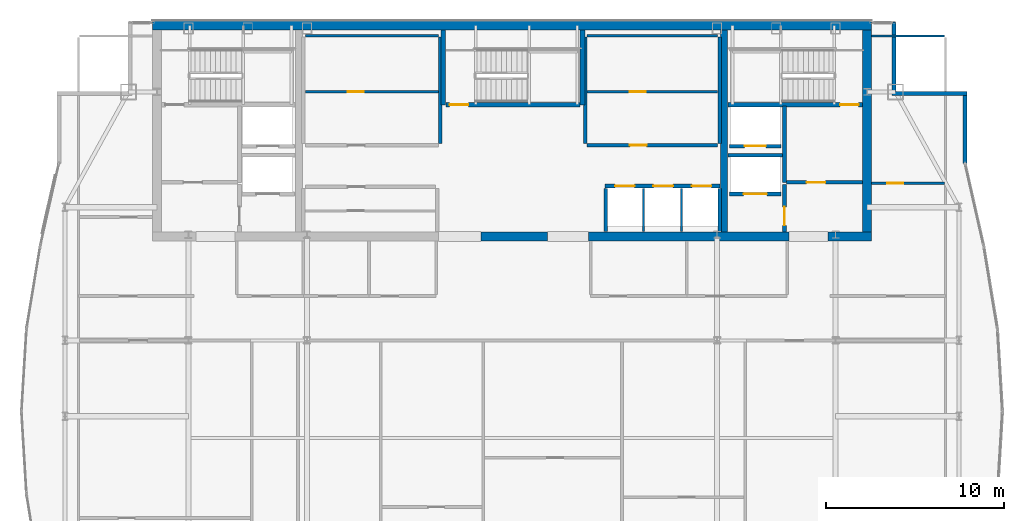
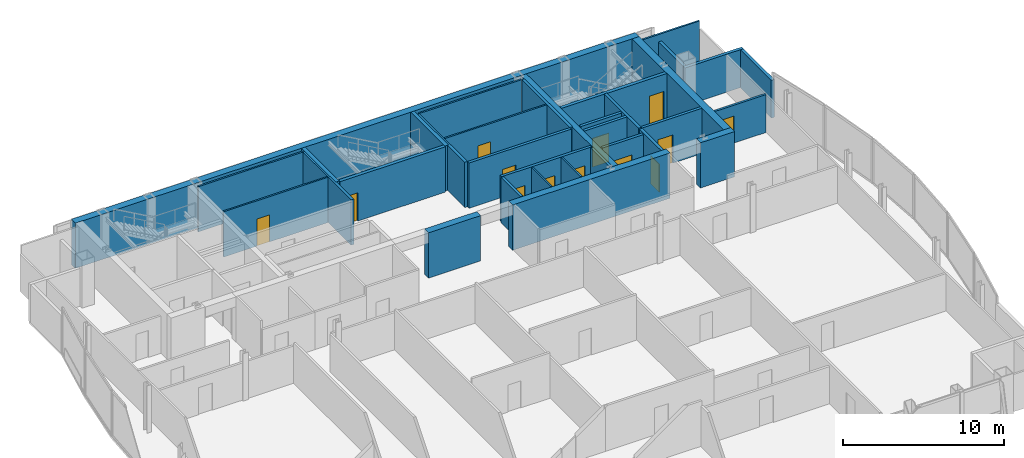
# One storey, part 26 of 29: 34 walls, 13 doors, 13 openings.
"""IFC4 building model written with IfcOpenShell, lengths in metres."""

from ifc_helpers import new_model, si_unit, direction, frame, frame_2d, origin, place, context, subcontext, project, spatial, rectangle, extrude, material, layer, layer_set, type_object, element, fill, save


model = new_model("IFC4")

# Units and contexts
model_context = context("Model", 3, precision=1e-05, world=origin(), true_north=direction((0.0, 1.0)))
body_context = subcontext(model_context, "Body", "Model", "MODEL_VIEW")
ifc_project = project(units=[si_unit("LENGTHUNIT", "METRE"), si_unit("AREAUNIT", "SQUARE_METRE"), si_unit("VOLUMEUNIT", "CUBIC_METRE"), si_unit("PLANEANGLEUNIT", "RADIAN"), si_unit("MASSUNIT", "GRAM", prefix="KILO")], contexts=[model_context])

# Site, building, storey
site_placement = place(None, origin())
site = spatial("IfcSite", under=ifc_project, at=site_placement, CompositionType="ELEMENT")
building_placement = place(site_placement, origin())
building = spatial("IfcBuilding", under=site, at=building_placement, Name="Khoronbel Lancet Exchange", CompositionType="ELEMENT")
storey_placement = place(building_placement, frame((0.0, 0.0, 318.199951171875)))
storey = spatial("IfcBuildingStorey", under=building, at=storey_placement, Name="L82", CompositionType="ELEMENT", Elevation=318.199951171875)

# Walls
ifc_material_1 = material(Name="Concrete C60/75", Category="concrete")
ifc_layer_1 = layer(ifc_material_1, 0.5, Name="Concrete C60/75")
ifc_layer_set_1 = layer_set([ifc_layer_1], Name="Concrete C60/75")
wall_type_1 = type_object("IfcWallType", Name="WL-CW4", PredefinedType="SHEAR", material=ifc_layer_set_1)
wall_1_placement = place(storey_placement, frame((16.199951171875, 53.449951171875, 0.0), z_axis=(0.0, 0.0, 1.0), x_axis=(1.0, 0.0, 0.0)))
element("IfcWall", 1, at=wall_1_placement, inside=storey, type_object=wall_type_1, Name="Level L82 rear core north shear wall", PredefinedType="SHEAR", context=body_context, shape_type="SweptSolid", body=[
    extrude(rectangle(XDim=40.5, YDim=0.5, at=frame_2d((20.25, 0.0))), origin(), (0.0, 0.0, 1.0), 3.43994140625),
])
wall_2_placement = place(storey_placement, frame((56.449951171875, 53.199951171875, 0.0), z_axis=(0.0, 0.0, 1.0), x_axis=(0.0, -1.0, 0.0)))
element("IfcWall", 2, at=wall_2_placement, inside=storey, type_object=wall_type_1, Name="Level L82 rear core east shear wall", PredefinedType="SHEAR", context=body_context, shape_type="SweptSolid", body=[
    extrude(rectangle(XDim=11.39990234375, YDim=0.5, at=frame_2d((5.699951171875, 0.0))), origin(), (0.0, 0.0, 1.0), 3.43994140625),
])
wall_3_placement = place(storey_placement, frame((38.449951171875, 41.550048828125, 0.0), z_axis=(0.0, 0.0, 1.0), x_axis=(-1.0, 0.0, 0.0)))
element("IfcWall", 3, at=wall_3_placement, inside=storey, type_object=wall_type_1, Name="Level L82 rear core south shear wall pier P3", PredefinedType="SHEAR", context=body_context, shape_type="SweptSolid", body=[
    extrude(rectangle(XDim=3.75, YDim=0.5, at=frame_2d((1.875, 0.0))), origin(), (0.0, 0.0, 1.0), 3.43994140625),
])
wall_4_placement = place(storey_placement, frame((52.050048828125, 41.550048828125, 0.0), z_axis=(0.0, 0.0, 1.0), x_axis=(-1.0, 0.0, 0.0)))
element("IfcWall", 4, at=wall_4_placement, inside=storey, type_object=wall_type_1, Name="Level L82 rear core south shear wall pier P4", PredefinedType="SHEAR", context=body_context, shape_type="SweptSolid", body=[
    extrude(rectangle(XDim=11.300048828125, YDim=0.5, at=frame_2d((5.64990234375, 0.0))), origin(), (0.0, 0.0, 1.0), 3.43994140625),
])
wall_5_placement = place(storey_placement, frame((56.699951171875, 41.550048828125, 0.0), z_axis=(0.0, 0.0, 1.0), x_axis=(-1.0, 0.0, 0.0)))
element("IfcWall", 5, at=wall_5_placement, inside=storey, type_object=wall_type_1, Name="Level L82 rear core south shear wall pier P5", PredefinedType="SHEAR", context=body_context, shape_type="SweptSolid", body=[
    extrude(rectangle(XDim=2.449951171875, YDim=0.5, at=frame_2d((1.22509765625, 0.0))), origin(), (0.0, 0.0, 1.0), 3.43994140625),
])
ifc_material_2 = material(Name="Precast concrete C40/50", Category="concrete")
ifc_layer_2 = layer(ifc_material_2, 0.25, Name="Precast concrete C40/50")
ifc_layer_set_2 = layer_set([ifc_layer_2], Name="Precast concrete C40/50")
wall_type_2 = type_object("IfcWallType", Name="WL-EXT250", PredefinedType="SOLIDWALL", material=ifc_layer_set_2)
wall_6_placement = place(storey_placement, frame((57.9599609375, 53.6298828125, 0.0), z_axis=(0.0, 0.0, 1.0), x_axis=(0.0, -1.0, 0.0)))
element("IfcWall", 6, at=wall_6_placement, inside=storey, type_object=wall_type_2, Name="Level L82 notched-corner limestone pier 14", PredefinedType="SOLIDWALL", context=body_context, shape_type="SweptSolid", body=[
    extrude(rectangle(XDim=3.909912109375, YDim=0.219970703125, at=frame_2d((1.955078125, 0.0))), origin(), (0.0, 0.0, 1.0), 2.880126953125),
])
wall_7_placement = place(storey_placement, frame((57.85009765625, 49.610107421875, 0.0), z_axis=(0.0, 0.0, 1.0), x_axis=(1.0, 0.0, 0.0)))
element("IfcWall", 7, at=wall_7_placement, inside=storey, type_object=wall_type_2, Name="Level L82 notched-corner limestone pier 15", PredefinedType="SOLIDWALL", context=body_context, shape_type="SweptSolid", body=[
    extrude(rectangle(XDim=4.219970703125, YDim=0.219970703125, at=frame_2d((2.10986328125, 0.0))), origin(), (0.0, 0.0, 1.0), 2.880126953125),
])
wall_8_placement = place(storey_placement, frame((61.9599609375, 49.5, 0.0), z_axis=(0.0, 0.0, 1.0), x_axis=(0.0, -1.0, 0.0)))
element("IfcWall", 8, at=wall_8_placement, inside=storey, type_object=wall_type_2, Name="Level L82 notched-corner limestone pier 16", PredefinedType="SOLIDWALL", context=body_context, shape_type="SweptSolid", body=[
    extrude(rectangle(XDim=3.830078125, YDim=0.219970703125, at=frame_2d((1.9150390625, 0.0))), origin(), (0.0, 0.0, 1.0), 2.880126953125),
])

# Wall, opening, door
ifc_material_3 = material(Name="Acoustic Metal-Stud & Mineral-Wool Gypsum Partition 120 mm", Category="gypsum")
ifc_layer_3 = layer(ifc_material_3, 0.1201171875, Name="Acoustic Metal-Stud & Mineral-Wool Gypsum Partition 120 mm")
ifc_layer_set_3 = layer_set([ifc_layer_3], Name="Acoustic Metal-Stud & Mineral-Wool Gypsum Partition 120 mm")
wall_type_3 = type_object("IfcWallType", Name="WL-PRT120", PredefinedType="PARTITIONING", material=ifc_layer_set_3)
wall_9_placement = place(storey_placement, frame((56.699951171875, 44.56005859375, 0.0), z_axis=(0.0, 0.0, 1.0), x_axis=(1.0, 0.0, 0.0)))
wall_9 = element("IfcWall", 9, at=wall_9_placement, inside=storey, type_object=wall_type_3, Name="Level L82 interior partition PW-NE-H", PredefinedType="PARTITIONING", context=body_context, shape_type="SweptSolid", body=[
    extrude(rectangle(XDim=4.10498046875, YDim=0.14990234375, at=frame_2d((2.052490234375, 0.0))), origin(), (0.0, 0.0, 1.0), 2.880126953125),
])
opening_1_placement = place(wall_9_placement, frame((0.89990234375, 0.0, 0.0)))
opening_1 = element("IfcOpeningElement", 10, at=opening_1_placement, cuts=wall_9, Name="Opening D5", PredefinedType="OPENING", context=body_context, shape_type="SweptSolid", body=[
    extrude(rectangle(XDim=0.89990234375, YDim=2.050048828125, at=frame_2d((0.449951171875, 1.02490234375))), frame((0.0, 0.0849609375, 0.0), z_axis=(0.0, -1.0, 0.0), x_axis=(1.0, 0.0, 0.0)), (0.0, 0.0, 1.0), 0.169921875),
])
ifc_material_4 = material(Name="Acoustic Timber Pantry & Support Door", Category="wood")
door_type_1 = type_object("IfcDoorType", Name="DR-D5", OperationType="NOTDEFINED", PredefinedType="DOOR", material=ifc_material_4)
door_1_placement = place(opening_1_placement, origin())
door_1 = element("IfcDoor", 11, at=door_1_placement, inside=storey, type_object=door_type_1, Name="NE north room door L82-1", OperationType="SINGLE_SWING_RIGHT", OverallHeight=2.050048828125, OverallWidth=0.89990234375, PredefinedType="DOOR", context=body_context, shape_type="SweptSolid", body=[
    extrude(rectangle(XDim=0.89990234375, YDim=2.050048828125, at=frame_2d((0.449951171875, 1.02490234375))), frame((0.0, 0.02490234375, 0.0), z_axis=(0.0, -1.0, 0.0), x_axis=(1.0, 0.0, 0.0)), (0.0, 0.0, 1.0), 0.050048828125),
])
fill(opening_1, door_1)

# Walls
wall_10_placement = place(storey_placement, frame((56.699951171875, 52.840087890625, 0.0), z_axis=(0.0, 0.0, 1.0), x_axis=(1.0, 0.0, 0.0)))
element("IfcWall", 12, at=wall_10_placement, inside=storey, type_object=wall_type_3, Name="Level L82 interior partition PW-LIN-NE", PredefinedType="PARTITIONING", context=body_context, shape_type="SweptSolid", body=[
    extrude(rectangle(XDim=4.10498046875, YDim=0.1201171875, at=frame_2d((2.052490234375, 0.0))), origin(), (0.0, 0.0, 1.0), 3.43994140625),
])
ifc_material_5 = material(Name="Fire-Rated Metal-Stud & Mineral-Wool Gypsum Partition 120 mm", Category="gypsum")
ifc_layer_4 = layer(ifc_material_5, 0.1201171875, Name="Fire-Rated Metal-Stud & Mineral-Wool Gypsum Partition 120 mm")
ifc_layer_set_4 = layer_set([ifc_layer_4], Name="Fire-Rated Metal-Stud & Mineral-Wool Gypsum Partition 120 mm")
wall_type_4 = type_object("IfcWallType", Name="WL-PRT120F", PredefinedType="PARTITIONING", material=ifc_layer_set_4)
wall_11_placement = place(storey_placement, frame((24.804931640625, 52.860107421875, 0.0), z_axis=(0.0, 0.0, 1.0), x_axis=(1.0, 0.0, 0.0)))
element("IfcWall", 13, at=wall_11_placement, inside=storey, type_object=wall_type_4, Name="Level L82 interior partition CW-PL-RN", PredefinedType="PARTITIONING", context=body_context, shape_type="SweptSolid", body=[
    extrude(rectangle(XDim=7.510009765625, YDim=0.1201171875, at=frame_2d((3.7548828125, 0.0))), origin(), (0.0, 0.0, 1.0), 3.43994140625),
])

# Wall, opening, door
wall_12_placement = place(storey_placement, frame((24.804931640625, 49.708740234375, 0.0), z_axis=(0.0, 0.0, 1.0), x_axis=(1.0, 0.0, 0.0)))
wall_12 = element("IfcWall", 14, at=wall_12_placement, inside=storey, type_object=wall_type_4, Name="Level L82 interior partition CW-PL-RH", PredefinedType="PARTITIONING", context=body_context, shape_type="SweptSolid", body=[
    extrude(rectangle(XDim=7.510009765625, YDim=0.1201171875, at=frame_2d((3.7548828125, 0.0))), origin(), (0.0, 0.0, 1.0), 3.43994140625),
])
opening_2_placement = place(wall_12_placement, frame((2.39990234375, 0.0, 0.0)))
opening_2 = element("IfcOpeningElement", 15, at=opening_2_placement, cuts=wall_12, Name="Opening FD4", PredefinedType="OPENING", context=body_context, shape_type="SweptSolid", body=[
    extrude(rectangle(XDim=0.89990234375, YDim=2.050048828125, at=frame_2d((0.449951171875, 1.02490234375))), frame((0.0, 0.070068359375, 0.0), z_axis=(0.0, -1.0, 0.0), x_axis=(1.0, 0.0, 0.0)), (0.0, 0.0, 1.0), 0.14013671875),
])
ifc_material_6 = material(Name="Fire-Rated Steel Core Support Door Assembly", Category="steel")
door_type_2 = type_object("IfcDoorType", Name="DR-FD4", OperationType="NOTDEFINED", PredefinedType="DOOR", material=ifc_material_6)
door_2_placement = place(opening_2_placement, origin())
door_2 = element("IfcDoor", 16, at=door_2_placement, inside=storey, type_object=door_type_2, Name="Core PL inner store door L82-1", OperationType="SINGLE_SWING_RIGHT", OverallHeight=2.050048828125, OverallWidth=0.89990234375, PredefinedType="DOOR", context=body_context, shape_type="SweptSolid", body=[
    extrude(rectangle(XDim=0.89990234375, YDim=2.050048828125, at=frame_2d((0.449951171875, 1.02490234375))), frame((0.0, 0.02490234375, 0.0), z_axis=(0.0, -1.0, 0.0), x_axis=(1.0, 0.0, 0.0)), (0.0, 0.0, 1.0), 0.050048828125),
])
fill(opening_2, door_2)

# Wall
wall_13_placement = place(storey_placement, frame((40.68505859375, 52.860107421875, 0.0), z_axis=(0.0, 0.0, 1.0), x_axis=(1.0, 0.0, 0.0)))
element("IfcWall", 17, at=wall_13_placement, inside=storey, type_object=wall_type_4, Name="Level L82 interior partition CW-PH-RN", PredefinedType="PARTITIONING", context=body_context, shape_type="SweptSolid", body=[
    extrude(rectangle(XDim=7.349853515625, YDim=0.1201171875, at=frame_2d((3.6748046875, 0.0))), origin(), (0.0, 0.0, 1.0), 3.43994140625),
])

# Wall, opening, door
wall_14_placement = place(storey_placement, frame((40.68505859375, 49.708740234375, 0.0), z_axis=(0.0, 0.0, 1.0), x_axis=(1.0, 0.0, 0.0)))
wall_14 = element("IfcWall", 18, at=wall_14_placement, inside=storey, type_object=wall_type_4, Name="Level L82 interior partition CW-PH-RH", PredefinedType="PARTITIONING", context=body_context, shape_type="SweptSolid", body=[
    extrude(rectangle(XDim=7.349853515625, YDim=0.1201171875, at=frame_2d((3.6748046875, 0.0))), origin(), (0.0, 0.0, 1.0), 3.43994140625),
])
opening_3_placement = place(wall_14_placement, frame((2.39990234375, 0.0, 0.0)))
opening_3 = element("IfcOpeningElement", 19, at=opening_3_placement, cuts=wall_14, Name="Opening FD4", PredefinedType="OPENING", context=body_context, shape_type="SweptSolid", body=[
    extrude(rectangle(XDim=0.89990234375, YDim=2.050048828125, at=frame_2d((0.449951171875, 1.02490234375))), frame((0.0, 0.070068359375, 0.0), z_axis=(0.0, -1.0, 0.0), x_axis=(1.0, 0.0, 0.0)), (0.0, 0.0, 1.0), 0.14013671875),
])
door_3_placement = place(opening_3_placement, origin())
door_3 = element("IfcDoor", 20, at=door_3_placement, inside=storey, type_object=door_type_2, Name="Core PH inner store door L82-1", OperationType="SINGLE_SWING_RIGHT", OverallHeight=2.050048828125, OverallWidth=0.89990234375, PredefinedType="DOOR", context=body_context, shape_type="SweptSolid", body=[
    extrude(rectangle(XDim=0.89990234375, YDim=2.050048828125, at=frame_2d((0.449951171875, 1.02490234375))), frame((0.0, 0.02490234375, 0.0), z_axis=(0.0, -1.0, 0.0), x_axis=(1.0, 0.0, 0.0)), (0.0, 0.0, 1.0), 0.050048828125),
])
fill(opening_3, door_3)

# Walls
for number, where, z_axis, x_axis, name in (
    (21, (43.860107421875, 41.85009765625, 0.0), (0.0, 0.0, 1.0), (0.0, 1.0, 0.0), "Level L82 interior partition CW-PX-D1"),
    (22, (46.0, 41.85009765625, 0.0), (0.0, 0.0, 1.0), (0.0, 1.0, 0.0), "Level L82 interior partition CW-PX-D2"),
):
    element("IfcWall", number, at=place(storey_placement, frame(where, z_axis=z_axis, x_axis=x_axis)), inside=storey, type_object=wall_type_4, Name=name, PredefinedType="PARTITIONING", context=body_context, shape_type="SweptSolid", body=[
        extrude(rectangle(XDim=2.39990234375, YDim=0.1201171875, at=frame_2d((1.199951171875, 0.0))), origin(), (0.0, 0.0, 1.0), 3.43994140625),
    ])

# Wall, openings, doors
ifc_material_7 = material(Name="Autoclaved Aerated Concrete Blockwork 200 mm", Category="masonry")
ifc_layer_5 = layer(ifc_material_7, 0.199951171875, Name="Autoclaved Aerated Concrete Blockwork 200 mm")
ifc_layer_set_5 = layer_set([ifc_layer_5], Name="Autoclaved Aerated Concrete Blockwork 200 mm")
wall_type_5 = type_object("IfcWallType", Name="WL-PRT200", PredefinedType="PARTITIONING", material=ifc_layer_set_5)
wall_15_placement = place(storey_placement, frame((41.679931640625, 44.39990234375, 0.0), z_axis=(0.0, 0.0, 1.0), x_axis=(1.0, 0.0, 0.0)))
wall_15 = element("IfcWall", 23, at=wall_15_placement, inside=storey, type_object=wall_type_5, Name="Level L82 elevator hoistway landing front wall PXE", PredefinedType="PARTITIONING", context=body_context, shape_type="SweptSolid", body=[
    extrude(rectangle(XDim=6.47998046875, YDim=0.199951171875, at=frame_2d((3.239990234375, 0.0))), origin(), (0.0, 0.0, 1.0), 3.43994140625),
])
opening_4_placement = place(wall_15_placement, frame((0.580078125, 0.0, 0.0)))
opening_4 = element("IfcOpeningElement", 24, at=opening_4_placement, cuts=wall_15, Name="Opening LD-PX1", PredefinedType="OPENING", context=body_context, shape_type="SweptSolid", body=[
    extrude(rectangle(XDim=1.10009765625, YDim=2.179931640625, at=frame_2d((0.550048828125, 1.08984375))), frame((0.0, 0.10986328125, 0.0), z_axis=(0.0, -1.0, 0.0), x_axis=(1.0, 0.0, 0.0)), (0.0, 0.0, 1.0), 0.219970703125),
])
opening_5_placement = place(wall_15_placement, frame((2.739990234375, 0.0, 0.0)))
opening_5 = element("IfcOpeningElement", 25, at=opening_5_placement, cuts=wall_15, Name="Opening LD-PX2", PredefinedType="OPENING", context=body_context, shape_type="SweptSolid", body=[
    extrude(rectangle(XDim=1.10009765625, YDim=2.179931640625, at=frame_2d((0.550048828125, 1.08984375))), frame((0.0, 0.10986328125, 0.0), z_axis=(0.0, -1.0, 0.0), x_axis=(1.0, 0.0, 0.0)), (0.0, 0.0, 1.0), 0.219970703125),
])
opening_6_placement = place(wall_15_placement, frame((4.89990234375, 0.0, 0.0)))
opening_6 = element("IfcOpeningElement", 26, at=opening_6_placement, cuts=wall_15, Name="Opening LD-PX3", PredefinedType="OPENING", context=body_context, shape_type="SweptSolid", body=[
    extrude(rectangle(XDim=1.10009765625, YDim=2.179931640625, at=frame_2d((0.550048828125, 1.08984375))), frame((0.0, 0.10986328125, 0.0), z_axis=(0.0, -1.0, 0.0), x_axis=(1.0, 0.0, 0.0)), (0.0, 0.0, 1.0), 0.219970703125),
])
ifc_material_8 = material(Name="Brushed Bronze Bi-Parting Elevator Landing Door", Category="steel")
door_type_3 = type_object("IfcDoorType", Name="DR-LD-PAX", OperationType="NOTDEFINED", PredefinedType="DOOR", material=ifc_material_8)
door_4_placement = place(opening_4_placement, origin())
door_4 = element("IfcDoor", 27, at=door_4_placement, inside=storey, type_object=door_type_3, Name="Elevator landing sliding door LD-PX1 L82", OperationType="SLIDING_TO_LEFT", OverallHeight=2.179931640625, OverallWidth=1.10009765625, PredefinedType="DOOR", context=body_context, shape_type="SweptSolid", body=[
    extrude(rectangle(XDim=1.10009765625, YDim=2.179931640625, at=frame_2d((0.550048828125, 1.08984375))), frame((0.0, 0.02490234375, 0.0), z_axis=(0.0, -1.0, 0.0), x_axis=(1.0, 0.0, 0.0)), (0.0, 0.0, 1.0), 0.050048828125),
])
fill(opening_4, door_4)
door_5_placement = place(opening_5_placement, origin())
door_5 = element("IfcDoor", 28, at=door_5_placement, inside=storey, type_object=door_type_3, Name="Elevator landing sliding door LD-PX2 L82", OperationType="SLIDING_TO_LEFT", OverallHeight=2.179931640625, OverallWidth=1.10009765625, PredefinedType="DOOR", context=body_context, shape_type="SweptSolid", body=[
    extrude(rectangle(XDim=1.10009765625, YDim=2.179931640625, at=frame_2d((0.550048828125, 1.08984375))), frame((0.0, 0.02490234375, 0.0), z_axis=(0.0, -1.0, 0.0), x_axis=(1.0, 0.0, 0.0)), (0.0, 0.0, 1.0), 0.050048828125),
])
fill(opening_5, door_5)
door_6_placement = place(opening_6_placement, origin())
door_6 = element("IfcDoor", 29, at=door_6_placement, inside=storey, type_object=door_type_3, Name="Elevator landing sliding door LD-PX3 L82", OperationType="SLIDING_TO_LEFT", OverallHeight=2.179931640625, OverallWidth=1.10009765625, PredefinedType="DOOR", context=body_context, shape_type="SweptSolid", body=[
    extrude(rectangle(XDim=1.10009765625, YDim=2.179931640625, at=frame_2d((0.550048828125, 1.08984375))), frame((0.0, 0.02490234375, 0.0), z_axis=(0.0, -1.0, 0.0), x_axis=(1.0, 0.0, 0.0)), (0.0, 0.0, 1.0), 0.050048828125),
])
fill(opening_6, door_6)

# Wall, opening, door
wall_16_placement = place(storey_placement, frame((51.610107421875, 43.949951171875, 0.0), z_axis=(0.0, 0.0, 1.0), x_axis=(-1.0, 0.0, 0.0)))
wall_16 = element("IfcWall", 30, at=wall_16_placement, inside=storey, type_object=wall_type_5, Name="Level L82 elevator hoistway landing front wall SVLE", PredefinedType="PARTITIONING", context=body_context, shape_type="SweptSolid", body=[
    extrude(rectangle(XDim=2.920166015625, YDim=0.199951171875, at=frame_2d((1.4599609375, 0.0))), origin(), (0.0, 0.0, 1.0), 3.43994140625),
])
opening_7_placement = place(wall_16_placement, frame((0.81005859375, 0.0, 0.0)))
opening_7 = element("IfcOpeningElement", 31, at=opening_7_placement, cuts=wall_16, Name="Opening LD-SVL2", PredefinedType="OPENING", context=body_context, shape_type="SweptSolid", body=[
    extrude(rectangle(XDim=1.300048828125, YDim=2.179931640625, at=frame_2d((0.64990234375, 1.08984375))), frame((0.0, 0.10986328125, 0.0), z_axis=(0.0, -1.0, 0.0), x_axis=(1.0, 0.0, 0.0)), (0.0, 0.0, 1.0), 0.219970703125),
])
ifc_material_9 = material(Name="Heavy-Duty Bi-Parting Goods Lift Landing Door", Category="steel")
door_type_4 = type_object("IfcDoorType", Name="DR-LD-SVL", OperationType="NOTDEFINED", PredefinedType="DOOR", material=ifc_material_9)
door_7_placement = place(opening_7_placement, origin())
door_7 = element("IfcDoor", 32, at=door_7_placement, inside=storey, type_object=door_type_4, Name="Elevator landing sliding door LD-SVL2 L82", OperationType="SLIDING_TO_LEFT", OverallHeight=2.179931640625, OverallWidth=1.300048828125, PredefinedType="DOOR", context=body_context, shape_type="SweptSolid", body=[
    extrude(rectangle(XDim=1.300048828125, YDim=2.179931640625, at=frame_2d((0.64990234375, 1.08984375))), frame((0.0, 0.02490234375, 0.0), z_axis=(0.0, -1.0, 0.0), x_axis=(1.0, 0.0, 0.0)), (0.0, 0.0, 1.0), 0.050048828125),
])
fill(opening_7, door_7)

wall_17_placement = place(storey_placement, frame((51.610107421875, 46.64990234375, 0.0), z_axis=(0.0, 0.0, 1.0), x_axis=(-1.0, 0.0, 0.0)))
wall_17 = element("IfcWall", 33, at=wall_17_placement, inside=storey, type_object=wall_type_5, Name="Level L82 elevator hoistway landing front wall FFLE", PredefinedType="PARTITIONING", context=body_context, shape_type="SweptSolid", body=[
    extrude(rectangle(XDim=2.920166015625, YDim=0.199951171875, at=frame_2d((1.4599609375, 0.0))), origin(), (0.0, 0.0, 1.0), 3.43994140625),
])
opening_8_placement = place(wall_17_placement, frame((0.860107421875, 0.0, 0.0)))
opening_8 = element("IfcOpeningElement", 34, at=opening_8_placement, cuts=wall_17, Name="Opening LD-FFL2", PredefinedType="OPENING", context=body_context, shape_type="SweptSolid", body=[
    extrude(rectangle(XDim=1.199951171875, YDim=2.179931640625, at=frame_2d((0.60009765625, 1.08984375))), frame((0.0, 0.10986328125, 0.0), z_axis=(0.0, -1.0, 0.0), x_axis=(1.0, 0.0, 0.0)), (0.0, 0.0, 1.0), 0.219970703125),
])
ifc_material_10 = material(Name="Fire-Rated Stainless Bi-Parting Firefighting Lift Door", Category="steel")
door_type_5 = type_object("IfcDoorType", Name="DR-LD-FFL", OperationType="NOTDEFINED", PredefinedType="DOOR", material=ifc_material_10)
door_8_placement = place(opening_8_placement, origin())
door_8 = element("IfcDoor", 35, at=door_8_placement, inside=storey, type_object=door_type_5, Name="Elevator landing sliding door LD-FFL2 L82", OperationType="SLIDING_TO_LEFT", OverallHeight=2.179931640625, OverallWidth=1.199951171875, PredefinedType="DOOR", context=body_context, shape_type="SweptSolid", body=[
    extrude(rectangle(XDim=1.199951171875, YDim=2.179931640625, at=frame_2d((0.60009765625, 1.08984375))), frame((0.0, 0.02490234375, 0.0), z_axis=(0.0, -1.0, 0.0), x_axis=(1.0, 0.0, 0.0)), (0.0, 0.0, 1.0), 0.050048828125),
])
fill(opening_8, door_8)

# Wall
wall_18_placement = place(storey_placement, frame((51.800048828125, 44.60009765625, 0.0), z_axis=(0.0, 0.0, 1.0), x_axis=(0.0, 1.0, 0.0)))
element("IfcWall", 36, at=wall_18_placement, inside=storey, type_object=wall_type_5, Name="Level L82 interior partition CW-FFLE-W", PredefinedType="PARTITIONING", context=body_context, shape_type="SweptSolid", body=[
    extrude(rectangle(XDim=4.2998046875, YDim=0.199951171875, at=frame_2d((2.14990234375, 0.0))), origin(), (0.0, 0.0, 1.0), 3.43994140625),
])

# Wall, opening, door
wall_19_placement = place(storey_placement, frame((51.89990234375, 44.60009765625, 0.0), z_axis=(0.0, 0.0, 1.0), x_axis=(1.0, 0.0, 0.0)))
wall_19 = element("IfcWall", 37, at=wall_19_placement, inside=storey, type_object=wall_type_5, Name="Level L82 interior partition CW-FFLE-S", PredefinedType="PARTITIONING", context=body_context, shape_type="SweptSolid", body=[
    extrude(rectangle(XDim=4.300048828125, YDim=0.199951171875, at=frame_2d((2.14990234375, 0.0))), origin(), (0.0, 0.0, 1.0), 3.43994140625),
])
opening_9_placement = place(wall_19_placement, frame((1.14990234375, 0.0, 0.0)))
opening_9 = element("IfcOpeningElement", 38, at=opening_9_placement, cuts=wall_19, Name="Opening FD1", PredefinedType="OPENING", context=body_context, shape_type="SweptSolid", body=[
    extrude(rectangle(XDim=1.050048828125, YDim=2.14990234375, at=frame_2d((0.52490234375, 1.074951171875))), frame((0.0, 0.10986328125, 0.0), z_axis=(0.0, -1.0, 0.0), x_axis=(1.0, 0.0, 0.0)), (0.0, 0.0, 1.0), 0.219970703125),
])
ifc_material_11 = material(Name="Fire-Rated Painted Steel Door Assembly", Category="steel")
door_type_6 = type_object("IfcDoorType", Name="DR-FD1", OperationType="NOTDEFINED", PredefinedType="DOOR", material=ifc_material_11)
door_9_placement = place(opening_9_placement, origin())
door_9 = element("IfcDoor", 39, at=door_9_placement, inside=storey, type_object=door_type_6, Name="East firefighting lobby FD90S door L82-1", OperationType="SINGLE_SWING_RIGHT", OverallHeight=2.14990234375, OverallWidth=1.050048828125, PredefinedType="DOOR", context=body_context, shape_type="SweptSolid", body=[
    extrude(rectangle(XDim=1.050048828125, YDim=2.14990234375, at=frame_2d((0.52490234375, 1.074951171875))), frame((0.0, 0.02490234375, 0.0), z_axis=(0.0, -1.0, 0.0), x_axis=(1.0, 0.0, 0.0)), (0.0, 0.0, 1.0), 0.050048828125),
])
fill(opening_9, door_9)

# Wall
wall_20_placement = place(storey_placement, frame((48.6298828125, 46.1201171875, 0.0), z_axis=(0.0, 0.0, 1.0), x_axis=(1.0, 0.0, 0.0)))
element("IfcWall", 40, at=wall_20_placement, inside=storey, type_object=wall_type_5, Name="Level L82 interior partition CW-FFL2-S", PredefinedType="PARTITIONING", context=body_context, shape_type="SweptSolid", body=[
    extrude(rectangle(XDim=3.070068359375, YDim=0.199951171875, at=frame_2d((1.53515625, 0.0))), origin(), (0.0, 0.0, 1.0), 3.43994140625),
])

# Wall, opening, door
wall_21_placement = place(storey_placement, frame((51.800048828125, 41.800048828125, 0.0), z_axis=(0.0, 0.0, 1.0), x_axis=(0.0, 1.0, 0.0)))
wall_21 = element("IfcWall", 41, at=wall_21_placement, inside=storey, type_object=wall_type_5, Name="Level L82 interior partition CW-SVLE-E", PredefinedType="PARTITIONING", context=body_context, shape_type="SweptSolid", body=[
    extrude(rectangle(XDim=2.695068359375, YDim=0.199951171875, at=frame_2d((1.34765625, 0.0))), origin(), (0.0, 0.0, 1.0), 3.43994140625),
])
opening_10_placement = place(wall_21_placement, frame((0.3798828125, 0.0, 0.0)))
opening_10 = element("IfcOpeningElement", 42, at=opening_10_placement, cuts=wall_21, Name="Opening FD1", PredefinedType="OPENING", context=body_context, shape_type="SweptSolid", body=[
    extrude(rectangle(XDim=1.050048828125, YDim=2.14990234375, at=frame_2d((0.52490234375, 1.074951171875))), frame((0.0, 0.10986328125, 0.0), z_axis=(0.0, -1.0, 0.0), x_axis=(1.0, 0.0, 0.0)), (0.0, 0.0, 1.0), 0.219970703125),
])
door_10_placement = place(opening_10_placement, origin())
door_10 = element("IfcDoor", 43, at=door_10_placement, inside=storey, type_object=door_type_6, Name="East service lift lobby door L82-1", OperationType="SINGLE_SWING_LEFT", OverallHeight=2.14990234375, OverallWidth=1.050048828125, PredefinedType="DOOR", context=body_context, shape_type="SweptSolid", body=[
    extrude(rectangle(XDim=1.050048828125, YDim=2.14990234375, at=frame_2d((0.52490234375, 1.074951171875))), frame((0.0, 0.02490234375, 0.0), z_axis=(0.0, -1.0, 0.0), x_axis=(1.0, 0.0, 0.0)), (0.0, 0.0, 1.0), 0.050048828125),
])
fill(opening_10, door_10)

# Walls
for number, where, z_axis, x_axis, name in (
    (44, (32.419921875, 46.804931640625, 0.0), (0.0, 0.0, 1.0), (0.0, 1.0, 0.0), "Level L82 interior partition CW-PL-RE"),
    (45, (40.580078125, 46.804931640625, 0.0), (0.0, 0.0, 1.0), (0.0, 1.0, 0.0), "Level L82 interior partition CW-PH-RW"),
    (46, (48.139892578125, 46.804931640625, 0.0), (0.0, 0.0, 1.0), (0.0, 1.0, 0.0), "Level L82 interior partition CW-PH-RE"),
):
    element("IfcWall", number, at=place(storey_placement, frame(where, z_axis=z_axis, x_axis=x_axis)), inside=storey, type_object=wall_type_5, Name=name, PredefinedType="PARTITIONING", context=body_context, shape_type="SweptSolid", body=[
        extrude(rectangle(XDim=5.989990234375, YDim=0.199951171875, at=frame_2d((2.9951171875, 0.0))), origin(), (0.0, 0.0, 1.0), 3.43994140625),
    ])

# Wall, opening, door
wall_22_placement = place(storey_placement, frame((40.68505859375, 46.699951171875, 0.0), z_axis=(0.0, 0.0, 1.0), x_axis=(1.0, 0.0, 0.0)))
wall_22 = element("IfcWall", 47, at=wall_22_placement, inside=storey, type_object=wall_type_5, Name="Level L82 interior partition CW-PH-RF", PredefinedType="PARTITIONING", context=body_context, shape_type="SweptSolid", body=[
    extrude(rectangle(XDim=7.349853515625, YDim=0.199951171875, at=frame_2d((3.6748046875, 0.0))), origin(), (0.0, 0.0, 1.0), 3.43994140625),
])
opening_11_placement = place(wall_22_placement, frame((2.39990234375, 0.0, 0.0)))
opening_11 = element("IfcOpeningElement", 48, at=opening_11_placement, cuts=wall_22, Name="Opening FD3", PredefinedType="OPENING", context=body_context, shape_type="SweptSolid", body=[
    extrude(rectangle(XDim=0.949951171875, YDim=2.10009765625, at=frame_2d((0.47509765625, 1.050048828125))), frame((0.0, 0.10986328125, 0.0), z_axis=(0.0, -1.0, 0.0), x_axis=(1.0, 0.0, 0.0)), (0.0, 0.0, 1.0), 0.219970703125),
])
ifc_material_12 = material(Name="Fire-Rated Steel Plant & Riser Door Assembly", Category="steel")
door_type_7 = type_object("IfcDoorType", Name="DR-FD3", OperationType="NOTDEFINED", PredefinedType="DOOR", material=ifc_material_12)
door_11_placement = place(opening_11_placement, origin())
door_11 = element("IfcDoor", 49, at=door_11_placement, inside=storey, type_object=door_type_7, Name="Core PH merged gallery room door L82-1", OperationType="SINGLE_SWING_LEFT", OverallHeight=2.10009765625, OverallWidth=0.949951171875, PredefinedType="DOOR", context=body_context, shape_type="SweptSolid", body=[
    extrude(rectangle(XDim=0.949951171875, YDim=2.10009765625, at=frame_2d((0.47509765625, 1.050048828125))), frame((0.0, 0.02490234375, 0.0), z_axis=(0.0, -1.0, 0.0), x_axis=(1.0, 0.0, 0.0)), (0.0, 0.0, 1.0), 0.050048828125),
])
fill(opening_11, door_11)

# Walls
for number, where, z_axis, x_axis, name in (
    (50, (41.719970703125, 41.85009765625, 0.0), (0.0, 0.0, 1.0), (0.0, 1.0, 0.0), "Level L82 interior partition CW-PX-W"),
    (51, (48.139892578125, 41.85009765625, 0.0), (0.0, 0.0, 1.0), (0.0, 1.0, 0.0), "Level L82 interior partition CW-PX-E"),
):
    element("IfcWall", number, at=place(storey_placement, frame(where, z_axis=z_axis, x_axis=x_axis)), inside=storey, type_object=wall_type_5, Name=name, PredefinedType="PARTITIONING", context=body_context, shape_type="SweptSolid", body=[
        extrude(rectangle(XDim=2.39990234375, YDim=0.199951171875, at=frame_2d((1.199951171875, 0.0))), origin(), (0.0, 0.0, 1.0), 3.43994140625),
    ])
ifc_layer_6 = layer(ifc_material_1, 0.39990234375, Name="Concrete C60/75")
ifc_layer_set_6 = layer_set([ifc_layer_6], Name="Concrete C60/75")
wall_type_6 = type_object("IfcWallType", Name="WL-SW2", PredefinedType="SHEAR", material=ifc_layer_set_6)
wall_23_placement = place(storey_placement, frame((48.39990234375, 41.800048828125, 0.0), z_axis=(0.0, 0.0, 1.0), x_axis=(0.0, 1.0, 0.0)))
element("IfcWall", 52, at=wall_23_placement, inside=storey, type_object=wall_type_6, Name="Level L82 rear core internal spine shear wall IE", PredefinedType="SHEAR", context=body_context, shape_type="SweptSolid", body=[
    extrude(rectangle(XDim=11.39990234375, YDim=0.39990234375, at=frame_2d((5.699951171875, 0.0))), origin(), (0.0, 0.0, 1.0), 3.43994140625),
])
ifc_layer_7 = layer(ifc_material_1, 0.260009765625, Name="Concrete C60/75")
ifc_layer_set_7 = layer_set([ifc_layer_7], Name="Concrete C60/75")
wall_type_7 = type_object("IfcWallType", Name="WL-SW3", PredefinedType="SHEAR", material=ifc_layer_set_7)
for number, where, z_axis, x_axis, name in (
    (53, (32.580078125, 48.949951171875, 0.0), (0.0, 0.0, 1.0), (0.0, 1.0, 0.0), "Level L82 central stairwell structural shear wall ST3W"),
    (54, (40.419921875, 48.949951171875, 0.0), (0.0, 0.0, 1.0), (0.0, 1.0, 0.0), "Level L82 central stairwell structural shear wall ST3E"),
):
    element("IfcWall", number, at=place(storey_placement, frame(where, z_axis=z_axis, x_axis=x_axis)), inside=storey, type_object=wall_type_7, Name=name, PredefinedType="SHEAR", context=body_context, shape_type="SweptSolid", body=[
        extrude(rectangle(XDim=4.25, YDim=0.260009765625, at=frame_2d((2.125, 0.0))), origin(), (0.0, 0.0, 1.0), 3.43994140625),
    ])

# Wall, opening, door
wall_24_placement = place(storey_placement, frame((48.6298828125, 48.97998046875, 0.0), z_axis=(0.0, 0.0, 1.0), x_axis=(1.0, 0.0, 0.0)))
wall_24 = element("IfcWall", 55, at=wall_24_placement, inside=storey, type_object=wall_type_7, Name="Level L82 east stairwell structural south wall", PredefinedType="SHEAR", context=body_context, shape_type="SweptSolid", body=[
    extrude(rectangle(XDim=7.570068359375, YDim=0.239990234375, at=frame_2d((3.78515625, 0.0))), origin(), (0.0, 0.0, 1.0), 3.43994140625),
])
opening_12_placement = place(wall_24_placement, frame((6.300048828125, 0.0, 0.0)))
opening_12 = element("IfcOpeningElement", 56, at=opening_12_placement, cuts=wall_24, Name="Opening SD1", PredefinedType="OPENING", context=body_context, shape_type="SweptSolid", body=[
    extrude(rectangle(XDim=1.050048828125, YDim=2.14990234375, at=frame_2d((0.52490234375, 1.074951171875))), frame((0.0, 0.1298828125, 0.0), z_axis=(0.0, -1.0, 0.0), x_axis=(1.0, 0.0, 0.0)), (0.0, 0.0, 1.0), 0.260009765625),
])
ifc_material_13 = material(Name="Fire-Rated Steel Stairwell Door Assembly", Category="steel")
door_type_8 = type_object("IfcDoorType", Name="DR-SD1", OperationType="NOTDEFINED", PredefinedType="DOOR", material=ifc_material_13)
door_12_placement = place(opening_12_placement, origin())
door_12 = element("IfcDoor", 57, at=door_12_placement, inside=storey, type_object=door_type_8, Name="Protected exit stair ST2 door L82", OperationType="SINGLE_SWING_RIGHT", OverallHeight=2.14990234375, OverallWidth=1.050048828125, PredefinedType="DOOR", context=body_context, shape_type="SweptSolid", body=[
    extrude(rectangle(XDim=1.050048828125, YDim=2.14990234375, at=frame_2d((0.52490234375, 1.074951171875))), frame((0.0, 0.02490234375, 0.0), z_axis=(0.0, -1.0, 0.0), x_axis=(1.0, 0.0, 0.0)), (0.0, 0.0, 1.0), 0.050048828125),
])
fill(opening_12, door_12)

wall_25_placement = place(storey_placement, frame((32.719970703125, 48.97998046875, 0.0), z_axis=(0.0, 0.0, 1.0), x_axis=(1.0, 0.0, 0.0)))
wall_25 = element("IfcWall", 58, at=wall_25_placement, inside=storey, type_object=wall_type_7, Name="Level L82 central stairwell structural south wall", PredefinedType="SHEAR", context=body_context, shape_type="SweptSolid", body=[
    extrude(rectangle(XDim=7.56005859375, YDim=0.239990234375, at=frame_2d((3.780029296875, 0.0))), origin(), (0.0, 0.0, 1.0), 3.43994140625),
])
opening_13_placement = place(wall_25_placement, frame((0.219970703125, 0.0, 0.0)))
opening_13 = element("IfcOpeningElement", 59, at=opening_13_placement, cuts=wall_25, Name="Opening SD1", PredefinedType="OPENING", context=body_context, shape_type="SweptSolid", body=[
    extrude(rectangle(XDim=1.050048828125, YDim=2.14990234375, at=frame_2d((0.52490234375, 1.074951171875))), frame((0.0, 0.1298828125, 0.0), z_axis=(0.0, -1.0, 0.0), x_axis=(1.0, 0.0, 0.0)), (0.0, 0.0, 1.0), 0.260009765625),
])
door_13_placement = place(opening_13_placement, origin())
door_13 = element("IfcDoor", 60, at=door_13_placement, inside=storey, type_object=door_type_8, Name="Protected exit stair ST3 door L82", OperationType="SINGLE_SWING_LEFT", OverallHeight=2.14990234375, OverallWidth=1.050048828125, PredefinedType="DOOR", context=body_context, shape_type="SweptSolid", body=[
    extrude(rectangle(XDim=1.050048828125, YDim=2.14990234375, at=frame_2d((0.52490234375, 1.074951171875))), frame((0.0, 0.02490234375, 0.0), z_axis=(0.0, -1.0, 0.0), x_axis=(1.0, 0.0, 0.0)), (0.0, 0.0, 1.0), 0.050048828125),
])
fill(opening_13, door_13)

save(model, "model.ifc")
